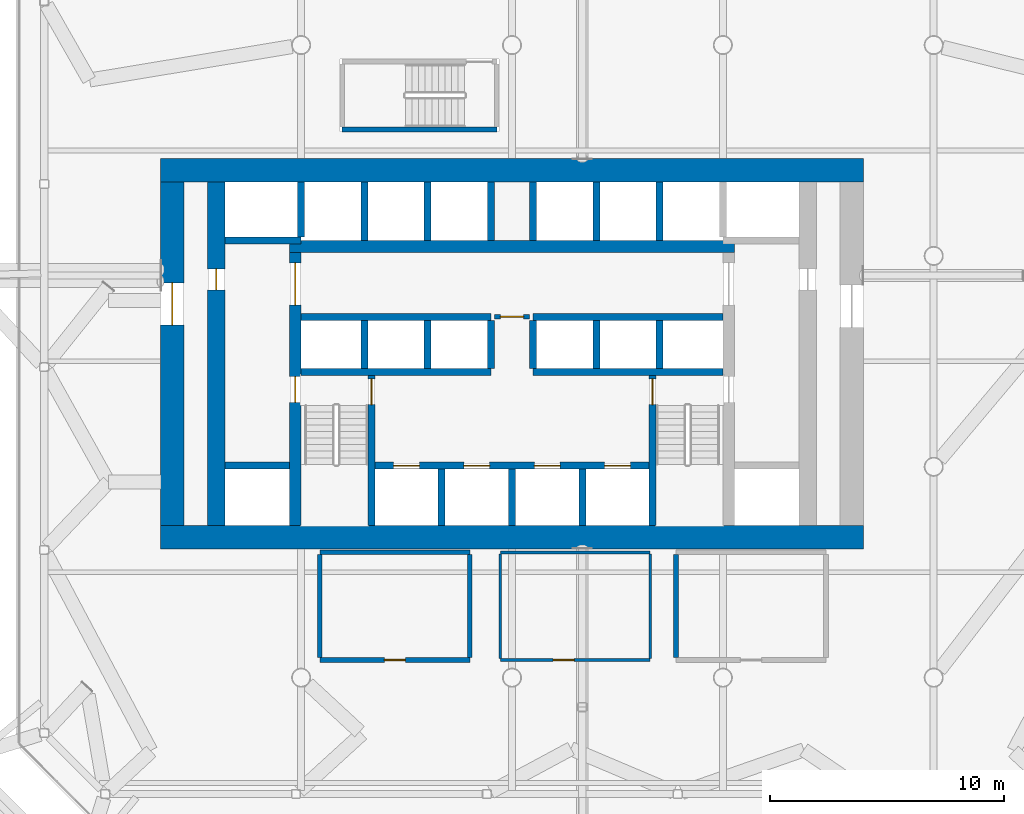
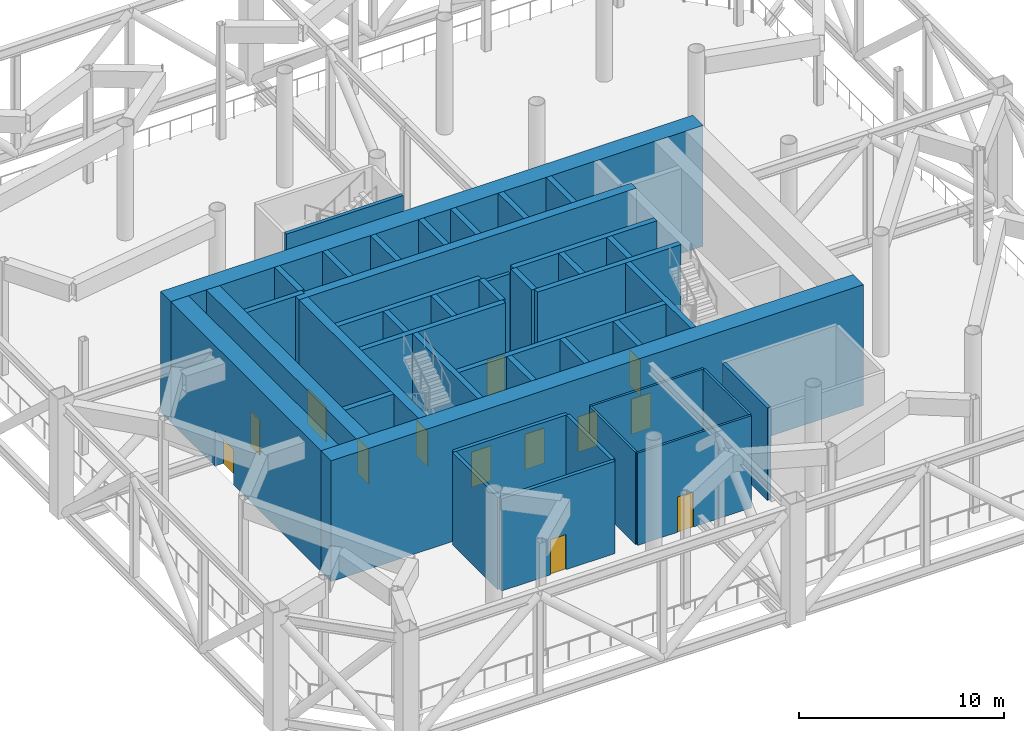
# One storey, part 12 of 20: 42 walls, 13 doors, 13 openings.
"""IFC4 building model written with IfcOpenShell, lengths in metres."""

import ifcopenshell
import ifcopenshell.guid

model = None  # the IFC model being written
_history = None  # IfcOwnerHistory: only IFC2X3 demands one
_inside = {}  # id of a spatial element -> (the spatial element, [elements in it])
_under = {}  # id of a project, library or spatial element -> (it, [spatial elements below it])
_declared = {}  # id of a project -> (the project, [libraries it declares])
_typed = {}  # id of a type object -> (the type object, [elements of that type])
_made_of = {}  # id of a material, layer set ... -> (it, [elements and type objects made of it])


def new_model(schema):
    """Start an empty IFC model of exactly this schema.

    Asked for "IFC4X3", IfcOpenShell would pick the latest addendum, in which some entities
    have other attributes; the version numbers below select the first issue.
    IFC2X3 requires an IfcOwnerHistory on every rooted entity: one is made here for all.
    """
    global model, _history
    if schema == "IFC4X3":
        model = ifcopenshell.file(schema_version=(4, 3, 0, 0))
    else:
        model = ifcopenshell.file(schema=schema)
    _inside.clear()
    _under.clear()
    _declared.clear()
    _typed.clear()
    _made_of.clear()
    _history = None
    if model.schema == "IFC2X3":
        org = make("IfcOrganization", Name="unknown")
        user = make(
            "IfcPersonAndOrganization",
            ThePerson=make("IfcPerson", FamilyName="unknown"),
            TheOrganization=org,
        )
        app = make(
            "IfcApplication",
            ApplicationDeveloper=org,
            Version="unknown",
            ApplicationFullName="unknown",
            ApplicationIdentifier="unknown",
        )
        _history = make(
            "IfcOwnerHistory",
            OwningUser=user,
            OwningApplication=app,
            ChangeAction="ADDED",
            CreationDate=0,
        )
    return model


def make(cls, **values):
    """One entity of the class cls with the attributes given. An attribute that is None is left unset."""
    return model.create_entity(
        cls, **{name: value for name, value in values.items() if value is not None}
    )


def rooted(cls, **values):
    """An entity with a GlobalId (a new one), such as an element, a storey or a relation."""
    return make(cls, GlobalId=ifcopenshell.guid.new(), OwnerHistory=_history, **values)


def si_unit(unit_type, name, prefix=None):
    """IfcSIUnit, for example si_unit("LENGTHUNIT", "METRE", prefix="MILLI")."""
    return make("IfcSIUnit", UnitType=unit_type, Prefix=prefix, Name=name)


def assignment(units):
    """IfcUnitAssignment: the units of a project."""
    return None if units is None else make("IfcUnitAssignment", Units=units)


def point(xyz):
    """IfcCartesianPoint."""
    return None if xyz is None else make("IfcCartesianPoint", Coordinates=xyz)


def direction(xyz):
    """IfcDirection."""
    return None if xyz is None else make("IfcDirection", DirectionRatios=xyz)


def frame(location, z_axis=None, x_axis=None):
    """IfcAxis2Placement3D, a coordinate frame: its origin and axes. An axis left out is left unset."""
    return make(
        "IfcAxis2Placement3D",
        Location=point(location),
        Axis=direction(z_axis),
        RefDirection=direction(x_axis),
    )


def frame_2d(location, x_axis=None):
    """IfcAxis2Placement2D, a coordinate frame in the plane: its origin and x axis."""
    return make(
        "IfcAxis2Placement2D", Location=point(location), RefDirection=direction(x_axis)
    )


def origin():
    """The frame at (0, 0, 0) with its axes left unset."""
    return frame((0.0, 0.0, 0.0))


def place(relative_to, where):
    """IfcLocalPlacement: puts the frame where relative to a parent placement (None: the world)."""
    return make(
        "IfcLocalPlacement", PlacementRelTo=relative_to, RelativePlacement=where
    )


def context(
    kind, dimensions, precision=None, world=None, true_north=None, identifier=None
):
    """IfcGeometricRepresentationContext, for example the 3D "Model" context."""
    return make(
        "IfcGeometricRepresentationContext",
        ContextIdentifier=identifier,
        ContextType=kind,
        CoordinateSpaceDimension=dimensions,
        Precision=precision,
        WorldCoordinateSystem=world,
        TrueNorth=true_north,
    )


def subcontext(parent, identifier, kind, view, scale=None):
    """IfcGeometricRepresentationSubContext, for example "Body" below "Model"."""
    return make(
        "IfcGeometricRepresentationSubContext",
        ContextIdentifier=identifier,
        ContextType=kind,
        ParentContext=parent,
        TargetScale=scale,
        TargetView=view,
    )


def project(units=None, contexts=None):
    """IfcProject with its units and contexts."""
    return rooted(
        "IfcProject",
        Name="project",
        RepresentationContexts=contexts,
        UnitsInContext=assignment(units),
    )


def spatial(cls, under=None, at=None, **own):
    """A site, building, storey or space (cls), placed at a placement, below another one or the project."""
    s = rooted(cls, ObjectPlacement=at, **own)
    if under is not None:
        _under.setdefault(under.id(), (under, []))[1].append(s)
    return s


def profile(cls, at=None, kind="AREA", **sizes):
    """A parametric profile (cls). Its sizes go by their IFC names, for example OverallWidth=200.0."""
    return make(cls, ProfileType=kind, Position=at, **sizes)


def rectangle(**sizes):
    """IfcRectangleProfileDef."""
    return profile("IfcRectangleProfileDef", **sizes)


def extrude(swept, where, along, depth):
    """IfcExtrudedAreaSolid: the profile swept, set in the frame where, extruded along a direction by depth."""
    return make(
        "IfcExtrudedAreaSolid",
        SweptArea=swept,
        Position=where,
        ExtrudedDirection=direction(along),
        Depth=depth,
    )


def shape(context_of_items, identifier, shape_type, items):
    """IfcShapeRepresentation: the items that make up one representation, for example the "Body"."""
    return make(
        "IfcShapeRepresentation",
        ContextOfItems=context_of_items,
        RepresentationIdentifier=identifier,
        RepresentationType=shape_type,
        Items=items,
    )


def material(Name=None, Category=None):
    """IfcMaterial."""
    return make("IfcMaterial", Name=Name, Category=Category)


def layer(
    of_material, thickness, ventilated=None, Name=None, Category=None, Priority=None
):
    """IfcMaterialLayer: one layer of a wall or slab, of a material (None: an air gap)."""
    return make(
        "IfcMaterialLayer",
        Material=of_material,
        LayerThickness=thickness,
        IsVentilated=ventilated,
        Name=Name,
        Category=Category,
        Priority=Priority,
    )


def layer_set(layers, Name=None):
    """IfcMaterialLayerSet."""
    return make("IfcMaterialLayerSet", MaterialLayers=layers, LayerSetName=Name)


def made_of(thing, what):
    """Note that an element or type object is made of a material, layer set ...; save() writes the relation."""
    if what is not None:
        _made_of.setdefault(what.id(), (what, []))[1].append(thing)
    return thing


def type_object(cls, material=None, **own):
    """A type object (cls), such as IfcWallType, which elements share."""
    return made_of(rooted(cls, **own), material)


def element(
    cls,
    number,
    at=None,
    inside=None,
    cuts=None,
    type_object=None,
    material=None,
    context=None,
    identifier="Body",
    shape_type=None,
    held_by="IfcProductDefinitionShape",
    body=None,
    shapes=None,
    **own,
):
    """One element of the class cls, such as IfcWall. Its Tag is "e" and its number.

    at: its placement. inside: the storey or other place that contains it. cuts: it is an
    opening in that element (IfcRelVoidsElement). A single representation is given by context,
    identifier, shape_type and body (its items); several are given by shapes. held_by: the class
    of the entity that holds the representations. save() writes the other relations.
    """
    e = rooted(cls, Tag="e%d" % number, ObjectPlacement=at, **own)
    if body is not None:
        shapes = [shape(context, identifier, shape_type, body)]
    if shapes is not None:
        e.Representation = make(held_by, Representations=shapes)
    if inside is not None:
        _inside.setdefault(inside.id(), (inside, []))[1].append(e)
    if cuts is not None:
        rooted(
            "IfcRelVoidsElement", RelatingBuildingElement=cuts, RelatedOpeningElement=e
        )
    if type_object is not None:
        _typed.setdefault(type_object.id(), (type_object, []))[1].append(e)
    return made_of(e, material)


def fill(opening, filler):
    """IfcRelFillsElement: the door or window that sits in an opening."""
    return rooted(
        "IfcRelFillsElement",
        RelatingOpeningElement=opening,
        RelatedBuildingElement=filler,
    )


def aggregate(whole, parts):
    """IfcRelAggregates: a whole, such as a stair, and the parts it consists of."""
    return rooted("IfcRelAggregates", RelatingObject=whole, RelatedObjects=parts)


def save(model, path):
    """Write the relations noted so far, then the file.

    IfcRelAggregates (storeys below a building ...), IfcRelContainedInSpatialStructure (elements
    in a storey), IfcRelDefinesByType, IfcRelAssociatesMaterial and IfcRelDeclares: one each for
    every whole, place, type object, material and project.
    """
    for whole, parts in _under.values():
        aggregate(whole, parts)
    for where, things in _inside.values():
        rooted(
            "IfcRelContainedInSpatialStructure",
            RelatedElements=things,
            RelatingStructure=where,
        )
    for kind, things in _typed.values():
        rooted("IfcRelDefinesByType", RelatedObjects=things, RelatingType=kind)
    for what, things in _made_of.values():
        rooted("IfcRelAssociatesMaterial", RelatedObjects=things, RelatingMaterial=what)
    for by, libraries in _declared.values():
        rooted("IfcRelDeclares", RelatingContext=by, RelatedDefinitions=libraries)
    model.write(path)


model = new_model("IFC4")

# Units and contexts
model_context = context("Model", 3, precision=1e-05, world=origin(), true_north=direction((0.0, 1.0)))
body_context = subcontext(model_context, "Body", "Model", "MODEL_VIEW")
ifc_project = project(units=[si_unit("LENGTHUNIT", "METRE"), si_unit("AREAUNIT", "SQUARE_METRE"), si_unit("VOLUMEUNIT", "CUBIC_METRE"), si_unit("PLANEANGLEUNIT", "RADIAN"), si_unit("MASSUNIT", "GRAM", prefix="KILO")], contexts=[model_context])

# Site, building, storey
site_placement = place(None, origin())
site = spatial("IfcSite", under=ifc_project, at=site_placement, CompositionType="ELEMENT")
building_placement = place(site_placement, origin())
building = spatial("IfcBuilding", under=site, at=building_placement, Name="Tskaro Facet Tower", CompositionType="ELEMENT")
storey_placement = place(building_placement, frame((0.0, 0.0, 114.300048828125)))
storey = spatial("IfcBuildingStorey", under=building, at=storey_placement, Name="L27", CompositionType="ELEMENT", Elevation=114.300048828125)

# Wall
ifc_material_1 = material(Name="Concrete C60/75", Category="concrete")
ifc_layer_1 = layer(ifc_material_1, 0.300048828125, Name="Concrete C60/75")
ifc_layer_set_1 = layer_set([ifc_layer_1], Name="Concrete C60/75")
wall_type_1 = type_object("IfcWallType", Name="CORE-SHAFT", PredefinedType="SHEAR", material=ifc_layer_set_1)
wall_1_placement = place(storey_placement, frame((-12.25, -8.949951171875, 0.0), z_axis=(0.0, 0.0, 1.0), x_axis=(1.0, 0.0, 0.0)))
element("IfcWall", 1, at=wall_1_placement, inside=storey, type_object=wall_type_1, Name="Shaft wall W007", PredefinedType="SHEAR", context=body_context, shape_type="SweptSolid", body=[
    extrude(rectangle(XDim=2.75, YDim=0.300048828125, at=frame_2d((1.375, 0.0))), origin(), (0.0, 0.0, 1.0), 7.199951171875),
])

# Wall, openings, doors
wall_2_placement = place(storey_placement, frame((-5.85009765625, -8.949951171875, 0.0), z_axis=(0.0, 0.0, 1.0), x_axis=(1.0, 0.0, 0.0)))
wall_2 = element("IfcWall", 2, at=wall_2_placement, inside=storey, type_object=wall_type_1, Name="Shaft wall W008", PredefinedType="SHEAR", context=body_context, shape_type="SweptSolid", body=[
    extrude(rectangle(XDim=11.7001953125, YDim=0.300048828125, at=frame_2d((5.85009765625, 0.0))), origin(), (0.0, 0.0, 1.0), 7.199951171875),
])
opening_1_placement = place(wall_2_placement, frame((0.800048828125, 0.0, 0.0)))
opening_1 = element("IfcOpeningElement", 3, at=opening_1_placement, cuts=wall_2, Name="Opening LD-FF1", PredefinedType="OPENING", context=body_context, shape_type="SweptSolid", body=[
    extrude(rectangle(XDim=1.10009765625, YDim=2.10009765625, at=frame_2d((0.550048828125, 1.050048828125))), frame((0.0, 0.159912109375, 0.0), z_axis=(0.0, -1.0, 0.0), x_axis=(1.0, 0.0, 0.0)), (0.0, 0.0, 1.0), 0.320068359375),
])
opening_2_placement = place(wall_2_placement, frame((3.800048828125, 0.0, 0.0)))
opening_2 = element("IfcOpeningElement", 4, at=opening_2_placement, cuts=wall_2, Name="Opening LD-FF2", PredefinedType="OPENING", context=body_context, shape_type="SweptSolid", body=[
    extrude(rectangle(XDim=1.10009765625, YDim=2.10009765625, at=frame_2d((0.550048828125, 1.050048828125))), frame((0.0, 0.159912109375, 0.0), z_axis=(0.0, -1.0, 0.0), x_axis=(1.0, 0.0, 0.0)), (0.0, 0.0, 1.0), 0.320068359375),
])
opening_3_placement = place(wall_2_placement, frame((6.800048828125, 0.0, 0.0)))
opening_3 = element("IfcOpeningElement", 5, at=opening_3_placement, cuts=wall_2, Name="Opening LD-SV1", PredefinedType="OPENING", context=body_context, shape_type="SweptSolid", body=[
    extrude(rectangle(XDim=1.10009765625, YDim=2.10009765625, at=frame_2d((0.550048828125, 1.050048828125))), frame((0.0, 0.159912109375, 0.0), z_axis=(0.0, -1.0, 0.0), x_axis=(1.0, 0.0, 0.0)), (0.0, 0.0, 1.0), 0.320068359375),
])
opening_4_placement = place(wall_2_placement, frame((9.800048828125, 0.0, 0.0)))
opening_4 = element("IfcOpeningElement", 6, at=opening_4_placement, cuts=wall_2, Name="Opening LD-SV2", PredefinedType="OPENING", context=body_context, shape_type="SweptSolid", body=[
    extrude(rectangle(XDim=1.10009765625, YDim=2.10009765625, at=frame_2d((0.550048828125, 1.050048828125))), frame((0.0, 0.159912109375, 0.0), z_axis=(0.0, -1.0, 0.0), x_axis=(1.0, 0.0, 0.0)), (0.0, 0.0, 1.0), 0.320068359375),
])
ifc_material_2 = material(Name="Stainless steel", Category="steel")
door_type_1 = type_object("IfcDoorType", Name="D-LANDING", OperationType="NOTDEFINED", PredefinedType="DOOR", material=ifc_material_2)
door_1_placement = place(opening_1_placement, origin())
door_1 = element("IfcDoor", 7, at=door_1_placement, inside=storey, type_object=door_type_1, Name="Landing door FF1", OperationType="DOUBLE_DOOR_SLIDING", OverallHeight=2.10009765625, OverallWidth=1.10009765625, PredefinedType="DOOR", context=body_context, shape_type="SweptSolid", body=[
    extrude(rectangle(XDim=1.10009765625, YDim=2.10009765625, at=frame_2d((0.550048828125, 1.050048828125))), frame((0.0, 0.02490234375, 0.0), z_axis=(0.0, -1.0, 0.0), x_axis=(1.0, 0.0, 0.0)), (0.0, 0.0, 1.0), 0.050048828125),
])
fill(opening_1, door_1)
door_2_placement = place(opening_2_placement, origin())
door_2 = element("IfcDoor", 8, at=door_2_placement, inside=storey, type_object=door_type_1, Name="Landing door FF2", OperationType="DOUBLE_DOOR_SLIDING", OverallHeight=2.10009765625, OverallWidth=1.10009765625, PredefinedType="DOOR", context=body_context, shape_type="SweptSolid", body=[
    extrude(rectangle(XDim=1.10009765625, YDim=2.10009765625, at=frame_2d((0.550048828125, 1.050048828125))), frame((0.0, 0.02490234375, 0.0), z_axis=(0.0, -1.0, 0.0), x_axis=(1.0, 0.0, 0.0)), (0.0, 0.0, 1.0), 0.050048828125),
])
fill(opening_2, door_2)
door_3_placement = place(opening_3_placement, origin())
door_3 = element("IfcDoor", 9, at=door_3_placement, inside=storey, type_object=door_type_1, Name="Landing door SV1", OperationType="DOUBLE_DOOR_SLIDING", OverallHeight=2.10009765625, OverallWidth=1.10009765625, PredefinedType="DOOR", context=body_context, shape_type="SweptSolid", body=[
    extrude(rectangle(XDim=1.10009765625, YDim=2.10009765625, at=frame_2d((0.550048828125, 1.050048828125))), frame((0.0, 0.02490234375, 0.0), z_axis=(0.0, -1.0, 0.0), x_axis=(1.0, 0.0, 0.0)), (0.0, 0.0, 1.0), 0.050048828125),
])
fill(opening_3, door_3)
door_4_placement = place(opening_4_placement, origin())
door_4 = element("IfcDoor", 10, at=door_4_placement, inside=storey, type_object=door_type_1, Name="Landing door SV2", OperationType="DOUBLE_DOOR_SLIDING", OverallHeight=2.10009765625, OverallWidth=1.10009765625, PredefinedType="DOOR", context=body_context, shape_type="SweptSolid", body=[
    extrude(rectangle(XDim=1.10009765625, YDim=2.10009765625, at=frame_2d((0.550048828125, 1.050048828125))), frame((0.0, 0.02490234375, 0.0), z_axis=(0.0, -1.0, 0.0), x_axis=(1.0, 0.0, 0.0)), (0.0, 0.0, 1.0), 0.050048828125),
])
fill(opening_4, door_4)

# Walls
for number, where, z_axis, x_axis, name in (
    (11, (-9.0, -4.949951171875, 0.0), (0.0, 0.0, 1.0), (1.0, 0.0, 0.0), "Shaft wall W010"),
    (12, (0.89990234375, -4.949951171875, 0.0), (0.0, 0.0, 1.0), (1.0, 0.0, 0.0), "Shaft wall W011"),
    (13, (-9.0, -2.60009765625, 0.0), (0.0, 0.0, 1.0), (1.0, 0.0, 0.0), "Shaft wall W012"),
    (14, (0.89990234375, -2.60009765625, 0.0), (0.0, 0.0, 1.0), (1.0, 0.0, 0.0), "Shaft wall W014"),
):
    element("IfcWall", number, at=place(storey_placement, frame(where, z_axis=z_axis, x_axis=x_axis)), inside=storey, type_object=wall_type_1, Name=name, PredefinedType="SHEAR", context=body_context, shape_type="SweptSolid", body=[
        extrude(rectangle(XDim=8.10009765625, YDim=0.300048828125, at=frame_2d((4.050048828125, 0.0))), origin(), (0.0, 0.0, 1.0), 7.199951171875),
    ])
wall_3_placement = place(storey_placement, frame((-9.0, 0.64990234375, 0.0), z_axis=(0.0, 0.0, 1.0), x_axis=(-1.0, 0.0, 0.0)))
element("IfcWall", 15, at=wall_3_placement, inside=storey, type_object=wall_type_1, Name="Shaft wall W015", PredefinedType="SHEAR", context=body_context, shape_type="SweptSolid", body=[
    extrude(rectangle(XDim=3.25, YDim=0.300048828125, at=frame_2d((1.625, 0.0))), origin(), (0.0, 0.0, 1.0), 7.199951171875),
])
wall_4_placement = place(storey_placement, frame((-9.0, 0.800048828125, 0.0), z_axis=(0.0, 0.0, 1.0), x_axis=(0.0, 1.0, 0.0)))
element("IfcWall", 16, at=wall_4_placement, inside=storey, type_object=wall_type_1, Name="Shaft wall W019", PredefinedType="SHEAR", context=body_context, shape_type="SweptSolid", body=[
    extrude(rectangle(XDim=2.349853515625, YDim=0.300048828125, at=frame_2d((1.1748046875, 0.0))), origin(), (0.0, 0.0, 1.0), 7.199951171875),
])
wall_5_placement = place(storey_placement, frame((-6.300048828125, -4.800048828125, 0.0), z_axis=(0.0, 0.0, 1.0), x_axis=(0.0, 1.0, 0.0)))
element("IfcWall", 17, at=wall_5_placement, inside=storey, type_object=wall_type_1, Name="Shaft wall W022", PredefinedType="SHEAR", context=body_context, shape_type="SweptSolid", body=[
    extrude(rectangle(XDim=2.050048828125, YDim=0.300048828125, at=frame_2d((1.02490234375, 0.0))), origin(), (0.0, 0.0, 1.0), 7.199951171875),
])
wall_6_placement = place(storey_placement, frame((-6.300048828125, 0.64990234375, 0.0), z_axis=(0.0, 0.0, 1.0), x_axis=(0.0, 1.0, 0.0)))
element("IfcWall", 18, at=wall_6_placement, inside=storey, type_object=wall_type_1, Name="Shaft wall W023", PredefinedType="SHEAR", context=body_context, shape_type="SweptSolid", body=[
    extrude(rectangle(XDim=2.5, YDim=0.300048828125, at=frame_2d((1.25, 0.0))), origin(), (0.0, 0.0, 1.0), 7.199951171875),
])

# Wall, opening, door
wall_7_placement = place(storey_placement, frame((-6.0, -11.5, 0.0), z_axis=(0.0, 0.0, 1.0), x_axis=(0.0, 1.0, 0.0)))
wall_7 = element("IfcWall", 19, at=wall_7_placement, inside=storey, type_object=wall_type_1, Name="Shaft wall W024", PredefinedType="SHEAR", context=body_context, shape_type="SweptSolid", body=[
    extrude(rectangle(XDim=6.39990234375, YDim=0.300048828125, at=frame_2d((3.199951171875, 0.0))), origin(), (0.0, 0.0, 1.0), 7.199951171875),
])
opening_5_placement = place(wall_7_placement, frame((5.14990234375, 0.0, 0.0)))
opening_5 = element("IfcOpeningElement", 20, at=opening_5_placement, cuts=wall_7, Name="Opening ST-1-D1", PredefinedType="OPENING", context=body_context, shape_type="SweptSolid", body=[
    extrude(rectangle(XDim=1.10009765625, YDim=2.10009765625, at=frame_2d((0.550048828125, 1.050048828125))), frame((0.0, 0.159912109375, 0.0), z_axis=(0.0, -1.0, 0.0), x_axis=(1.0, 0.0, 0.0)), (0.0, 0.0, 1.0), 0.320068359375),
])
ifc_material_3 = material(Name="Steel", Category="steel")
door_type_2 = type_object("IfcDoorType", Name="D-STAIR", OperationType="NOTDEFINED", PredefinedType="DOOR", material=ifc_material_3)
door_5_placement = place(opening_5_placement, origin())
door_5 = element("IfcDoor", 21, at=door_5_placement, inside=storey, type_object=door_type_2, Name="Stair door 1", OperationType="SINGLE_SWING_LEFT", OverallHeight=2.10009765625, OverallWidth=1.10009765625, PredefinedType="DOOR", context=body_context, shape_type="SweptSolid", body=[
    extrude(rectangle(XDim=1.10009765625, YDim=2.10009765625, at=frame_2d((0.550048828125, 1.050048828125))), frame((0.0, 0.02490234375, 0.0), z_axis=(0.0, -1.0, 0.0), x_axis=(1.0, 0.0, 0.0)), (0.0, 0.0, 1.0), 0.050048828125),
])
fill(opening_5, door_5)

# Walls
wall_8_placement = place(storey_placement, frame((-3.60009765625, -4.800048828125, 0.0), z_axis=(0.0, 0.0, 1.0), x_axis=(0.0, 1.0, 0.0)))
element("IfcWall", 22, at=wall_8_placement, inside=storey, type_object=wall_type_1, Name="Shaft wall W025", PredefinedType="SHEAR", context=body_context, shape_type="SweptSolid", body=[
    extrude(rectangle(XDim=2.050048828125, YDim=0.300048828125, at=frame_2d((1.02490234375, 0.0))), origin(), (0.0, 0.0, 1.0), 7.199951171875),
])
wall_9_placement = place(storey_placement, frame((-3.60009765625, 0.64990234375, 0.0), z_axis=(0.0, 0.0, 1.0), x_axis=(0.0, 1.0, 0.0)))
element("IfcWall", 23, at=wall_9_placement, inside=storey, type_object=wall_type_1, Name="Shaft wall W026", PredefinedType="SHEAR", context=body_context, shape_type="SweptSolid", body=[
    extrude(rectangle(XDim=2.5, YDim=0.300048828125, at=frame_2d((1.25, 0.0))), origin(), (0.0, 0.0, 1.0), 7.199951171875),
])
wall_10_placement = place(storey_placement, frame((-3.0, -11.5, 0.0), z_axis=(0.0, 0.0, 1.0), x_axis=(0.0, 1.0, 0.0)))
element("IfcWall", 24, at=wall_10_placement, inside=storey, type_object=wall_type_1, Name="Shaft wall W027", PredefinedType="SHEAR", context=body_context, shape_type="SweptSolid", body=[
    extrude(rectangle(XDim=2.39990234375, YDim=0.300048828125, at=frame_2d((1.199951171875, 0.0))), origin(), (0.0, 0.0, 1.0), 7.199951171875),
])
wall_11_placement = place(storey_placement, frame((-0.89990234375, -4.800048828125, 0.0), z_axis=(0.0, 0.0, 1.0), x_axis=(0.0, 1.0, 0.0)))
element("IfcWall", 25, at=wall_11_placement, inside=storey, type_object=wall_type_1, Name="Shaft wall W029", PredefinedType="SHEAR", context=body_context, shape_type="SweptSolid", body=[
    extrude(rectangle(XDim=2.050048828125, YDim=0.300048828125, at=frame_2d((1.02490234375, 0.0))), origin(), (0.0, 0.0, 1.0), 7.199951171875),
])
wall_12_placement = place(storey_placement, frame((-0.89990234375, 0.64990234375, 0.0), z_axis=(0.0, 0.0, 1.0), x_axis=(0.0, 1.0, 0.0)))
element("IfcWall", 26, at=wall_12_placement, inside=storey, type_object=wall_type_1, Name="Shaft wall W030", PredefinedType="SHEAR", context=body_context, shape_type="SweptSolid", body=[
    extrude(rectangle(XDim=2.5, YDim=0.300048828125, at=frame_2d((1.25, 0.0))), origin(), (0.0, 0.0, 1.0), 7.199951171875),
])
wall_13_placement = place(storey_placement, frame((0.0, -11.5, 0.0), z_axis=(0.0, 0.0, 1.0), x_axis=(0.0, 1.0, 0.0)))
element("IfcWall", 27, at=wall_13_placement, inside=storey, type_object=wall_type_1, Name="Shaft wall W033", PredefinedType="SHEAR", context=body_context, shape_type="SweptSolid", body=[
    extrude(rectangle(XDim=2.39990234375, YDim=0.300048828125, at=frame_2d((1.199951171875, 0.0))), origin(), (0.0, 0.0, 1.0), 7.199951171875),
])
wall_14_placement = place(storey_placement, frame((0.89990234375, -4.800048828125, 0.0), z_axis=(0.0, 0.0, 1.0), x_axis=(0.0, 1.0, 0.0)))
element("IfcWall", 28, at=wall_14_placement, inside=storey, type_object=wall_type_1, Name="Shaft wall W034", PredefinedType="SHEAR", context=body_context, shape_type="SweptSolid", body=[
    extrude(rectangle(XDim=2.050048828125, YDim=0.300048828125, at=frame_2d((1.02490234375, 0.0))), origin(), (0.0, 0.0, 1.0), 7.199951171875),
])
wall_15_placement = place(storey_placement, frame((0.89990234375, 0.64990234375, 0.0), z_axis=(0.0, 0.0, 1.0), x_axis=(0.0, 1.0, 0.0)))
element("IfcWall", 29, at=wall_15_placement, inside=storey, type_object=wall_type_1, Name="Shaft wall W035", PredefinedType="SHEAR", context=body_context, shape_type="SweptSolid", body=[
    extrude(rectangle(XDim=2.5, YDim=0.300048828125, at=frame_2d((1.25, 0.0))), origin(), (0.0, 0.0, 1.0), 7.199951171875),
])
wall_16_placement = place(storey_placement, frame((3.0, -11.5, 0.0), z_axis=(0.0, 0.0, 1.0), x_axis=(0.0, 1.0, 0.0)))
element("IfcWall", 30, at=wall_16_placement, inside=storey, type_object=wall_type_1, Name="Shaft wall W036", PredefinedType="SHEAR", context=body_context, shape_type="SweptSolid", body=[
    extrude(rectangle(XDim=2.39990234375, YDim=0.300048828125, at=frame_2d((1.199951171875, 0.0))), origin(), (0.0, 0.0, 1.0), 7.199951171875),
])
wall_17_placement = place(storey_placement, frame((3.60009765625, -4.800048828125, 0.0), z_axis=(0.0, 0.0, 1.0), x_axis=(0.0, 1.0, 0.0)))
element("IfcWall", 31, at=wall_17_placement, inside=storey, type_object=wall_type_1, Name="Shaft wall W037", PredefinedType="SHEAR", context=body_context, shape_type="SweptSolid", body=[
    extrude(rectangle(XDim=2.050048828125, YDim=0.300048828125, at=frame_2d((1.02490234375, 0.0))), origin(), (0.0, 0.0, 1.0), 7.199951171875),
])
wall_18_placement = place(storey_placement, frame((3.60009765625, 0.64990234375, 0.0), z_axis=(0.0, 0.0, 1.0), x_axis=(0.0, 1.0, 0.0)))
element("IfcWall", 32, at=wall_18_placement, inside=storey, type_object=wall_type_1, Name="Shaft wall W038", PredefinedType="SHEAR", context=body_context, shape_type="SweptSolid", body=[
    extrude(rectangle(XDim=2.5, YDim=0.300048828125, at=frame_2d((1.25, 0.0))), origin(), (0.0, 0.0, 1.0), 7.199951171875),
])

# Wall, opening, door
wall_19_placement = place(storey_placement, frame((6.0, -5.10009765625, 0.0), z_axis=(0.0, 0.0, 1.0), x_axis=(0.0, -1.0, 0.0)))
wall_19 = element("IfcWall", 33, at=wall_19_placement, inside=storey, type_object=wall_type_1, Name="Shaft wall W040", PredefinedType="SHEAR", context=body_context, shape_type="SweptSolid", body=[
    extrude(rectangle(XDim=6.39990234375, YDim=0.300048828125, at=frame_2d((3.199951171875, 0.0))), origin(), (0.0, 0.0, 1.0), 7.199951171875),
])
opening_6_placement = place(wall_19_placement, frame((0.14990234375, 0.0, 0.0)))
opening_6 = element("IfcOpeningElement", 34, at=opening_6_placement, cuts=wall_19, Name="Opening ST-2-D1", PredefinedType="OPENING", context=body_context, shape_type="SweptSolid", body=[
    extrude(rectangle(XDim=1.10009765625, YDim=2.10009765625, at=frame_2d((0.550048828125, 1.050048828125))), frame((0.0, 0.159912109375, 0.0), z_axis=(0.0, -1.0, 0.0), x_axis=(1.0, 0.0, 0.0)), (0.0, 0.0, 1.0), 0.320068359375),
])
door_6_placement = place(opening_6_placement, origin())
door_6 = element("IfcDoor", 35, at=door_6_placement, inside=storey, type_object=door_type_2, Name="Stair door 2", OperationType="SINGLE_SWING_RIGHT", OverallHeight=2.10009765625, OverallWidth=1.10009765625, PredefinedType="DOOR", context=body_context, shape_type="SweptSolid", body=[
    extrude(rectangle(XDim=1.10009765625, YDim=2.10009765625, at=frame_2d((0.550048828125, 1.050048828125))), frame((0.0, 0.02490234375, 0.0), z_axis=(0.0, -1.0, 0.0), x_axis=(1.0, 0.0, 0.0)), (0.0, 0.0, 1.0), 0.050048828125),
])
fill(opening_6, door_6)

# Walls
wall_20_placement = place(storey_placement, frame((6.300048828125, -4.800048828125, 0.0), z_axis=(0.0, 0.0, 1.0), x_axis=(0.0, 1.0, 0.0)))
element("IfcWall", 36, at=wall_20_placement, inside=storey, type_object=wall_type_1, Name="Shaft wall W041", PredefinedType="SHEAR", context=body_context, shape_type="SweptSolid", body=[
    extrude(rectangle(XDim=2.050048828125, YDim=0.300048828125, at=frame_2d((1.02490234375, 0.0))), origin(), (0.0, 0.0, 1.0), 7.199951171875),
])
wall_21_placement = place(storey_placement, frame((6.300048828125, 0.64990234375, 0.0), z_axis=(0.0, 0.0, 1.0), x_axis=(0.0, 1.0, 0.0)))
element("IfcWall", 37, at=wall_21_placement, inside=storey, type_object=wall_type_1, Name="Shaft wall W042", PredefinedType="SHEAR", context=body_context, shape_type="SweptSolid", body=[
    extrude(rectangle(XDim=2.5, YDim=0.300048828125, at=frame_2d((1.25, 0.0))), origin(), (0.0, 0.0, 1.0), 7.199951171875),
])

# Wall, opening, door
ifc_material_4 = material(Name="Concrete C20/25", Category="concrete")
ifc_layer_2 = layer(ifc_material_4, 0.199951171875, Name="Concrete C20/25")
ifc_layer_set_2 = layer_set([ifc_layer_2], Name="Concrete C20/25")
wall_type_2 = type_object("IfcWallType", Name="CORE-WALL", PredefinedType="SOLIDWALL", material=ifc_layer_set_2)
wall_22_placement = place(storey_placement, frame((0.75, -2.60009765625, 0.0), z_axis=(0.0, 0.0, 1.0), x_axis=(-1.0, 0.0, 0.0)))
wall_22 = element("IfcWall", 38, at=wall_22_placement, inside=storey, type_object=wall_type_2, Name="Core room wall W013", PredefinedType="SOLIDWALL", context=body_context, shape_type="SweptSolid", body=[
    extrude(rectangle(XDim=1.5, YDim=0.199951171875, at=frame_2d((0.75, 0.0))), origin(), (0.0, 0.0, 1.0), 6.89990234375),
])
opening_7_placement = place(wall_22_placement, frame((0.25, 0.0, 0.0)))
opening_7 = element("IfcOpeningElement", 39, at=opening_7_placement, cuts=wall_22, Name="Opening FL-D1", PredefinedType="OPENING", context=body_context, shape_type="SweptSolid", body=[
    extrude(rectangle(XDim=1.0, YDim=2.10009765625, at=frame_2d((0.5, 1.050048828125))), frame((0.0, 0.10986328125, 0.0), z_axis=(0.0, -1.0, 0.0), x_axis=(1.0, 0.0, 0.0)), (0.0, 0.0, 1.0), 0.219970703125),
])
door_type_3 = type_object("IfcDoorType", Name="D-LOBBY", OperationType="NOTDEFINED", PredefinedType="DOOR", material=ifc_material_3)
door_7_placement = place(opening_7_placement, origin())
door_7 = element("IfcDoor", 40, at=door_7_placement, inside=storey, type_object=door_type_3, Name="Lobby door FL", OperationType="SINGLE_SWING_RIGHT", OverallHeight=2.10009765625, OverallWidth=1.0, PredefinedType="DOOR", context=body_context, shape_type="SweptSolid", body=[
    extrude(rectangle(XDim=1.0, YDim=2.10009765625, at=frame_2d((0.5, 1.050048828125))), frame((0.0, 0.02490234375, 0.0), z_axis=(0.0, -1.0, 0.0), x_axis=(1.0, 0.0, 0.0)), (0.0, 0.0, 1.0), 0.050048828125),
])
fill(opening_7, door_7)

# Walls
ifc_layer_3 = layer(ifc_material_1, 1.0, Name="Concrete C60/75")
ifc_layer_set_3 = layer_set([ifc_layer_3], Name="Concrete C60/75")
wall_type_3 = type_object("IfcWallType", Name="Core wall 1000", PredefinedType="SHEAR", material=ifc_layer_set_3)
for number, where, z_axis, x_axis, name in (
    (41, (-15.0, -12.0, 0.0), (0.0, 0.0, 1.0), (1.0, 0.0, 0.0), "Core wall CW-Z1S"),
    (42, (-15.0, 3.64990234375, 0.0), (0.0, 0.0, 1.0), (1.0, 0.0, 0.0), "Core wall CW-Z1N"),
):
    element("IfcWall", number, at=place(storey_placement, frame(where, z_axis=z_axis, x_axis=x_axis)), inside=storey, type_object=wall_type_3, Name=name, PredefinedType="SHEAR", context=body_context, shape_type="SweptSolid", body=[
        extrude(rectangle(XDim=30.0, YDim=1.0, at=frame_2d((15.0, 0.0))), origin(), (0.0, 0.0, 1.0), 7.199951171875),
    ])

# Wall, opening, door
wall_23_placement = place(storey_placement, frame((-14.5, -11.5, 0.0), z_axis=(0.0, 0.0, 1.0), x_axis=(0.0, 1.0, 0.0)))
wall_23 = element("IfcWall", 43, at=wall_23_placement, inside=storey, type_object=wall_type_3, Name="Core wall CW-Z1W", PredefinedType="SHEAR", context=body_context, shape_type="SweptSolid", body=[
    extrude(rectangle(XDim=14.64990234375, YDim=1.0, at=frame_2d((7.324951171875, 0.0))), origin(), (0.0, 0.0, 1.0), 7.199951171875),
])
opening_8_placement = place(wall_23_placement, frame((8.550048828125, 0.0, 0.0)))
opening_8 = element("IfcOpeningElement", 44, at=opening_8_placement, cuts=wall_23, Name="Opening W27-D08", PredefinedType="OPENING", context=body_context, shape_type="SweptSolid", body=[
    extrude(rectangle(XDim=1.800048828125, YDim=2.10009765625, at=frame_2d((0.89990234375, 1.050048828125))), frame((0.0, 0.510009765625, 0.0), z_axis=(0.0, -1.0, 0.0), x_axis=(1.0, 0.0, 0.0)), (0.0, 0.0, 1.0), 1.02001953125),
])
door_type_4 = type_object("IfcDoorType", Name="D-CORE-PAIR", OperationType="NOTDEFINED", PredefinedType="DOOR", material=ifc_material_3)
door_8_placement = place(opening_8_placement, origin())
door_8 = element("IfcDoor", 45, at=door_8_placement, inside=storey, type_object=door_type_4, Name="Door W27-D08", OperationType="DOUBLE_DOOR_SINGLE_SWING", OverallHeight=2.10009765625, OverallWidth=1.800048828125, PredefinedType="DOOR", context=body_context, shape_type="SweptSolid", body=[
    extrude(rectangle(XDim=1.800048828125, YDim=2.10009765625, at=frame_2d((0.89990234375, 1.050048828125))), frame((0.0, 0.02490234375, 0.0), z_axis=(0.0, -1.0, 0.0), x_axis=(1.0, 0.0, 0.0)), (0.0, 0.0, 1.0), 0.050048828125),
])
fill(opening_8, door_8)

# Wall
ifc_material_5 = material(Name="Concrete C40/50", Category="concrete")
ifc_layer_4 = layer(ifc_material_5, 0.5, Name="Concrete C40/50")
ifc_layer_set_4 = layer_set([ifc_layer_4], Name="Concrete C40/50")
wall_type_4 = type_object("IfcWallType", Name="Core wall 500", PredefinedType="SHEAR", material=ifc_layer_set_4)
wall_24_placement = place(storey_placement, frame((-9.5, 0.39990234375, 0.0), z_axis=(0.0, 0.0, 1.0), x_axis=(1.0, 0.0, 0.0)))
element("IfcWall", 46, at=wall_24_placement, inside=storey, type_object=wall_type_4, Name="Core wall CW-Z3N", PredefinedType="SHEAR", context=body_context, shape_type="SweptSolid", body=[
    extrude(rectangle(XDim=19.0, YDim=0.5, at=frame_2d((9.5, 0.0))), origin(), (0.0, 0.0, 1.0), 7.199951171875),
])

# Wall, openings, doors
wall_25_placement = place(storey_placement, frame((-9.25, -11.5, 0.0), z_axis=(0.0, 0.0, 1.0), x_axis=(0.0, 1.0, 0.0)))
wall_25 = element("IfcWall", 47, at=wall_25_placement, inside=storey, type_object=wall_type_4, Name="Core wall CW-Z3W", PredefinedType="SHEAR", context=body_context, shape_type="SweptSolid", body=[
    extrude(rectangle(XDim=11.64990234375, YDim=0.5, at=frame_2d((5.824951171875, 0.0))), origin(), (0.0, 0.0, 1.0), 7.199951171875),
])
opening_9_placement = place(wall_25_placement, frame((9.39990234375, 0.0, 0.0)))
opening_9 = element("IfcOpeningElement", 48, at=opening_9_placement, cuts=wall_25, Name="Opening W27-D06", PredefinedType="OPENING", context=body_context, shape_type="SweptSolid", body=[
    extrude(rectangle(XDim=1.800048828125, YDim=2.10009765625, at=frame_2d((0.89990234375, 1.050048828125))), frame((0.0, 0.260009765625, 0.0), z_axis=(0.0, -1.0, 0.0), x_axis=(1.0, 0.0, 0.0)), (0.0, 0.0, 1.0), 0.52001953125),
])
opening_10_placement = place(wall_25_placement, frame((5.25, 0.0, 0.0)))
opening_10 = element("IfcOpeningElement", 49, at=opening_10_placement, cuts=wall_25, Name="Opening ST-1-D2", PredefinedType="OPENING", context=body_context, shape_type="SweptSolid", body=[
    extrude(rectangle(XDim=1.10009765625, YDim=2.10009765625, at=frame_2d((0.550048828125, 1.050048828125))), frame((0.0, 0.260009765625, 0.0), z_axis=(0.0, -1.0, 0.0), x_axis=(1.0, 0.0, 0.0)), (0.0, 0.0, 1.0), 0.52001953125),
])
door_9_placement = place(opening_9_placement, origin())
door_9 = element("IfcDoor", 50, at=door_9_placement, inside=storey, type_object=door_type_4, Name="Door W27-D06", OperationType="DOUBLE_DOOR_SINGLE_SWING", OverallHeight=2.10009765625, OverallWidth=1.800048828125, PredefinedType="DOOR", context=body_context, shape_type="SweptSolid", body=[
    extrude(rectangle(XDim=1.800048828125, YDim=2.10009765625, at=frame_2d((0.89990234375, 1.050048828125))), frame((0.0, 0.02490234375, 0.0), z_axis=(0.0, -1.0, 0.0), x_axis=(1.0, 0.0, 0.0)), (0.0, 0.0, 1.0), 0.050048828125),
])
fill(opening_9, door_9)
door_10_placement = place(opening_10_placement, origin())
door_10 = element("IfcDoor", 51, at=door_10_placement, inside=storey, type_object=door_type_2, Name="Stair door 1 west", OperationType="SINGLE_SWING_LEFT", OverallHeight=2.10009765625, OverallWidth=1.10009765625, PredefinedType="DOOR", context=body_context, shape_type="SweptSolid", body=[
    extrude(rectangle(XDim=1.10009765625, YDim=2.10009765625, at=frame_2d((0.550048828125, 1.050048828125))), frame((0.0, 0.02490234375, 0.0), z_axis=(0.0, -1.0, 0.0), x_axis=(1.0, 0.0, 0.0)), (0.0, 0.0, 1.0), 0.050048828125),
])
fill(opening_10, door_10)

# Wall, opening, door
ifc_material_6 = material(Name="Concrete C50/60", Category="concrete")
ifc_layer_5 = layer(ifc_material_6, 0.75, Name="Concrete C50/60")
ifc_layer_set_5 = layer_set([ifc_layer_5], Name="Concrete C50/60")
wall_type_5 = type_object("IfcWallType", Name="Core wall 750", PredefinedType="SHEAR", material=ifc_layer_set_5)
wall_26_placement = place(storey_placement, frame((-12.625, -11.5, 0.0), z_axis=(0.0, 0.0, 1.0), x_axis=(0.0, 1.0, 0.0)))
wall_26 = element("IfcWall", 52, at=wall_26_placement, inside=storey, type_object=wall_type_5, Name="Core wall CW-Z2W", PredefinedType="SHEAR", context=body_context, shape_type="SweptSolid", body=[
    extrude(rectangle(XDim=14.64990234375, YDim=0.75, at=frame_2d((7.324951171875, 0.0))), origin(), (0.0, 0.0, 1.0), 7.199951171875),
])
opening_11_placement = place(wall_26_placement, frame((10.050048828125, 0.0, 0.0)))
opening_11 = element("IfcOpeningElement", 53, at=opening_11_placement, cuts=wall_26, Name="Opening W27-D09", PredefinedType="OPENING", context=body_context, shape_type="SweptSolid", body=[
    extrude(rectangle(XDim=0.89990234375, YDim=2.10009765625, at=frame_2d((0.449951171875, 1.050048828125))), frame((0.0, 0.385009765625, 0.0), z_axis=(0.0, -1.0, 0.0), x_axis=(1.0, 0.0, 0.0)), (0.0, 0.0, 1.0), 0.77001953125),
])
ifc_material_7 = material(Name="Timber", Category="wood")
door_type_5 = type_object("IfcDoorType", Name="D-ROOM", OperationType="NOTDEFINED", PredefinedType="DOOR", material=ifc_material_7)
door_11_placement = place(opening_11_placement, origin())
door_11 = element("IfcDoor", 54, at=door_11_placement, inside=storey, type_object=door_type_5, Name="Door W27-D09", OperationType="SINGLE_SWING_LEFT", OverallHeight=2.10009765625, OverallWidth=0.89990234375, PredefinedType="DOOR", context=body_context, shape_type="SweptSolid", body=[
    extrude(rectangle(XDim=0.89990234375, YDim=2.10009765625, at=frame_2d((0.449951171875, 1.050048828125))), frame((0.0, 0.02490234375, 0.0), z_axis=(0.0, -1.0, 0.0), x_axis=(1.0, 0.0, 0.0)), (0.0, 0.0, 1.0), 0.050048828125),
])
fill(opening_11, door_11)

ifc_material_8 = material(Name="Gypsum board on steel studs", Category="steel")
ifc_layer_6 = layer(ifc_material_8, 0.125, Name="Gypsum board on steel studs")
ifc_layer_set_6 = layer_set([ifc_layer_6], Name="Gypsum board on steel studs")
wall_type_6 = type_object("IfcWallType", Name="PART", PredefinedType="PARTITIONING", material=ifc_layer_set_6)
wall_27_placement = place(storey_placement, frame((-0.5, -17.25, 0.0), z_axis=(0.0, 0.0, 1.0), x_axis=(1.0, 0.0, 0.0)))
wall_27 = element("IfcWall", 55, at=wall_27_placement, inside=storey, type_object=wall_type_6, Name="Partition W002", PredefinedType="PARTITIONING", context=body_context, shape_type="SweptSolid", body=[
    extrude(rectangle(XDim=6.39990234375, YDim=0.125, at=frame_2d((3.199951171875, 0.0))), origin(), (0.0, 0.0, 1.0), 5.5),
])
opening_12_placement = place(wall_27_placement, frame((2.25, 0.0, 0.0)))
opening_12 = element("IfcOpeningElement", 56, at=opening_12_placement, cuts=wall_27, Name="Opening W27-D02", PredefinedType="OPENING", context=body_context, shape_type="SweptSolid", body=[
    extrude(rectangle(XDim=0.89990234375, YDim=2.10009765625, at=frame_2d((0.449951171875, 1.050048828125))), frame((0.0, 0.072509765625, 0.0), z_axis=(0.0, -1.0, 0.0), x_axis=(1.0, 0.0, 0.0)), (0.0, 0.0, 1.0), 0.14501953125),
])
door_12_placement = place(opening_12_placement, origin())
door_12 = element("IfcDoor", 57, at=door_12_placement, inside=storey, type_object=door_type_5, Name="Door W27-D02", OperationType="SINGLE_SWING_LEFT", OverallHeight=2.10009765625, OverallWidth=0.89990234375, PredefinedType="DOOR", context=body_context, shape_type="SweptSolid", body=[
    extrude(rectangle(XDim=0.89990234375, YDim=2.10009765625, at=frame_2d((0.449951171875, 1.050048828125))), frame((0.0, 0.02490234375, 0.0), z_axis=(0.0, -1.0, 0.0), x_axis=(1.0, 0.0, 0.0)), (0.0, 0.0, 1.0), 0.050048828125),
])
fill(opening_12, door_12)

# Walls
wall_28_placement = place(storey_placement, frame((-0.5, -12.64990234375, 0.0), z_axis=(0.0, 0.0, 1.0), x_axis=(1.0, 0.0, 0.0)))
element("IfcWall", 58, at=wall_28_placement, inside=storey, type_object=wall_type_6, Name="Partition W005", PredefinedType="PARTITIONING", context=body_context, shape_type="SweptSolid", body=[
    extrude(rectangle(XDim=6.39990234375, YDim=0.125, at=frame_2d((3.199951171875, 0.0))), origin(), (0.0, 0.0, 1.0), 5.5),
])
for number, where, z_axis, x_axis, name in (
    (59, (-0.5, -17.1875, 0.0), (0.0, 0.0, 1.0), (0.0, 1.0, 0.0), "Partition W032"),
    (60, (5.89990234375, -17.1875, 0.0), (0.0, 0.0, 1.0), (0.0, 1.0, 0.0), "Partition W039"),
):
    element("IfcWall", number, at=place(storey_placement, frame(where, z_axis=z_axis, x_axis=x_axis)), inside=storey, type_object=wall_type_6, Name=name, PredefinedType="PARTITIONING", context=body_context, shape_type="SweptSolid", body=[
        extrude(rectangle(XDim=4.47509765625, YDim=0.125, at=frame_2d((2.237548828125, 0.0))), origin(), (0.0, 0.0, 1.0), 5.5),
    ])
ifc_layer_7 = layer(ifc_material_1, 0.199951171875, Name="Concrete C60/75")
ifc_layer_set_7 = layer_set([ifc_layer_7], Name="Concrete C60/75")
wall_type_7 = type_object("IfcWallType", Name="STAIR-WALL", PredefinedType="SHEAR", material=ifc_layer_set_7)
wall_29_placement = place(storey_placement, frame((-7.25, 5.39990234375, 0.0), z_axis=(0.0, 0.0, 1.0), x_axis=(1.0, 0.0, 0.0)))
element("IfcWall", 61, at=wall_29_placement, inside=storey, type_object=wall_type_7, Name="Stair wall W017", PredefinedType="SHEAR", context=body_context, shape_type="SweptSolid", body=[
    extrude(rectangle(XDim=6.60009765625, YDim=0.199951171875, at=frame_2d((3.300048828125, 0.0))), origin(), (0.0, 0.0, 1.0), 7.199951171875),
])

# Wall, opening, door
ifc_layer_8 = layer(ifc_material_4, 0.199951171875, Name="Concrete C20/25")
ifc_layer_set_8 = layer_set([ifc_layer_8], Name="Concrete C20/25")
wall_type_8 = type_object("IfcWallType", Name="WALL-RISER", PredefinedType="SOLIDWALL", material=ifc_layer_set_8)
wall_30_placement = place(storey_placement, frame((-8.199951171875, -17.25, 0.0), z_axis=(0.0, 0.0, 1.0), x_axis=(1.0, 0.0, 0.0)))
wall_30 = element("IfcWall", 62, at=wall_30_placement, inside=storey, type_object=wall_type_8, Name="Riser room wall W001", PredefinedType="SOLIDWALL", context=body_context, shape_type="SweptSolid", body=[
    extrude(rectangle(XDim=6.39990234375, YDim=0.199951171875, at=frame_2d((3.199951171875, 0.0))), origin(), (0.0, 0.0, 1.0), 5.5),
])
opening_13_placement = place(wall_30_placement, frame((2.75, 0.0, 0.0)))
opening_13 = element("IfcOpeningElement", 63, at=opening_13_placement, cuts=wall_30, Name="Opening W27-D01", PredefinedType="OPENING", context=body_context, shape_type="SweptSolid", body=[
    extrude(rectangle(XDim=0.89990234375, YDim=2.10009765625, at=frame_2d((0.449951171875, 1.050048828125))), frame((0.0, 0.10986328125, 0.0), z_axis=(0.0, -1.0, 0.0), x_axis=(1.0, 0.0, 0.0)), (0.0, 0.0, 1.0), 0.219970703125),
])
door_type_6 = type_object("IfcDoorType", Name="D-RISER", OperationType="NOTDEFINED", PredefinedType="DOOR", material=ifc_material_3)
door_13_placement = place(opening_13_placement, origin())
door_13 = element("IfcDoor", 64, at=door_13_placement, inside=storey, type_object=door_type_6, Name="Door W27-D01", OperationType="SINGLE_SWING_LEFT", OverallHeight=2.10009765625, OverallWidth=0.89990234375, PredefinedType="DOOR", context=body_context, shape_type="SweptSolid", body=[
    extrude(rectangle(XDim=0.89990234375, YDim=2.10009765625, at=frame_2d((0.449951171875, 1.050048828125))), frame((0.0, 0.02490234375, 0.0), z_axis=(0.0, -1.0, 0.0), x_axis=(1.0, 0.0, 0.0)), (0.0, 0.0, 1.0), 0.050048828125),
])
fill(opening_13, door_13)

# Walls
wall_31_placement = place(storey_placement, frame((-8.199951171875, -12.64990234375, 0.0), z_axis=(0.0, 0.0, 1.0), x_axis=(1.0, 0.0, 0.0)))
element("IfcWall", 65, at=wall_31_placement, inside=storey, type_object=wall_type_8, Name="Riser room wall W004", PredefinedType="SOLIDWALL", context=body_context, shape_type="SweptSolid", body=[
    extrude(rectangle(XDim=6.39990234375, YDim=0.199951171875, at=frame_2d((3.199951171875, 0.0))), origin(), (0.0, 0.0, 1.0), 5.5),
])
for number, where, z_axis, x_axis, name in (
    (66, (-8.199951171875, -17.14990234375, 0.0), (0.0, 0.0, 1.0), (0.0, 1.0, 0.0), "Riser room wall W020"),
    (67, (-1.800048828125, -17.14990234375, 0.0), (0.0, 0.0, 1.0), (0.0, 1.0, 0.0), "Riser room wall W028"),
    (68, (7.0, -17.14990234375, 0.0), (0.0, 0.0, 1.0), (0.0, 1.0, 0.0), "Riser room wall W043"),
):
    element("IfcWall", number, at=place(storey_placement, frame(where, z_axis=z_axis, x_axis=x_axis)), inside=storey, type_object=wall_type_8, Name=name, PredefinedType="SOLIDWALL", context=body_context, shape_type="SweptSolid", body=[
        extrude(rectangle(XDim=4.39990234375, YDim=0.199951171875, at=frame_2d((2.199951171875, 0.0))), origin(), (0.0, 0.0, 1.0), 5.5),
    ])

save(model, "model.ifc")
